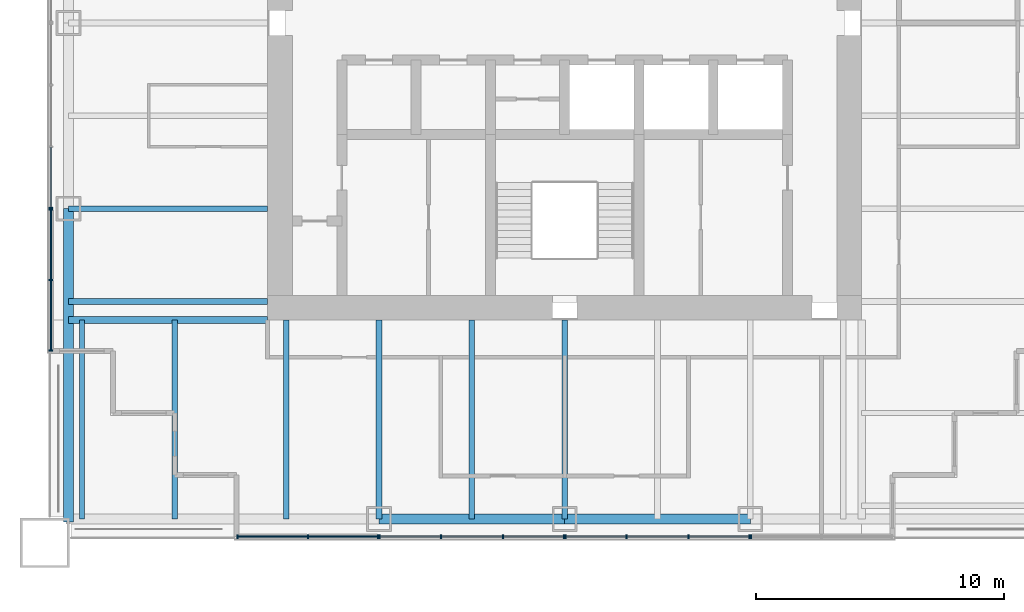
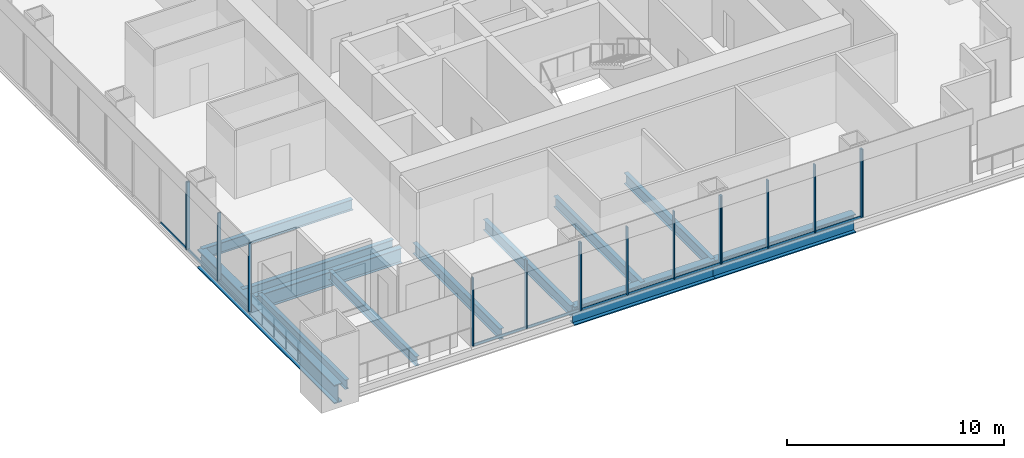
# One storey, part 2 of 14: 27 members, 12 beams, 6 elements without a shape of their own.
"""IFC4 building model written with IfcOpenShell, lengths in metres."""

from ifc_helpers import new_model, si_unit, direction, frame, origin, origin_2d, place, context, subcontext, project, spatial, rectangle, i_section, extrude, material, material_profile, profile_set, type_object, element, aggregate, save


model = new_model("IFC4")

# Units and contexts
model_context = context("Model", 3, precision=1e-05, world=origin(), true_north=direction((0.0, 1.0)))
body_context = subcontext(model_context, "Body", "Model", "MODEL_VIEW")
ifc_project = project(units=[si_unit("LENGTHUNIT", "METRE"), si_unit("AREAUNIT", "SQUARE_METRE"), si_unit("VOLUMEUNIT", "CUBIC_METRE"), si_unit("PLANEANGLEUNIT", "RADIAN"), si_unit("MASSUNIT", "GRAM", prefix="KILO")], contexts=[model_context])

# Site, building, storey
site_placement = place(None, origin())
site = spatial("IfcSite", under=ifc_project, at=site_placement, CompositionType="ELEMENT")
building_placement = place(site_placement, origin())
building = spatial("IfcBuilding", under=site, at=building_placement, Name="Tarangal Relay Tower", CompositionType="ELEMENT")
storey_placement = place(building_placement, frame((0.0, 0.0, 287.89990234375)))
storey = spatial("IfcBuildingStorey", under=building, at=storey_placement, Name="L63", CompositionType="ELEMENT", Elevation=287.89990234375)

# Beams
ifc_material_1 = material(Name="Steel ASTM A992", Category="steel")
ifc_material_profile_1 = material_profile(ifc_material_1, i_section(OverallWidth=0.209228515625, OverallDepth=0.533447265625, WebThickness=0.01025390625, FlangeThickness=0.015625, at=origin_2d()), Name="W21X62")
ifc_profile_set_1 = profile_set([ifc_material_profile_1], Name="Steel ASTM A992")
beam_type_1 = type_object("IfcBeamType", Name="Corner beam W21X62", PredefinedType="JOIST", material=ifc_profile_set_1)
for number, where, z_axis, x_axis, name in (
    (1, (-15.75, -12.0, -0.41650390625), (0.0, -1.0, 0.0), (1.0, 0.0, 0.0), "Corner beam CB12 S L63"),
    (2, (-19.5, -12.0, -0.41650390625), (0.0, -1.0, 0.0), (1.0, 0.0, 0.0), "Corner beam CB12 S L63"),
):
    element("IfcBeam", number, at=place(storey_placement, frame(where, z_axis=z_axis, x_axis=x_axis)), inside=storey, type_object=beam_type_1, Name=name, PredefinedType="JOIST", context=body_context, shape_type="SweptSolid", body=[
        extrude(i_section(OverallWidth=0.209228515625, OverallDepth=0.533447265625, WebThickness=0.01025390625, FlangeThickness=0.015625, at=origin_2d()), origin(), (0.0, 0.0, 1.0), 8.0400390625),
    ])
ifc_material_profile_2 = material_profile(ifc_material_1, i_section(OverallWidth=0.2919921875, OverallDepth=0.8408203125, WebThickness=0.0146484375, FlangeThickness=0.021728515625, at=origin_2d()), Name="W33X130")
ifc_profile_set_2 = profile_set([ifc_material_profile_2], Name="Steel ASTM A992")
beam_type_2 = type_object("IfcBeamType", Name="Corner girder W33X130", PredefinedType="BEAM", material=ifc_profile_set_2)
beam_1_placement = place(storey_placement, frame((-12.0, -12.0, -0.5703125), z_axis=(-1.0, 0.0, 0.0), x_axis=(0.0, -1.0, 0.0)))
element("IfcBeam", 3, at=beam_1_placement, inside=storey, type_object=beam_type_2, Name="Corner girder CG5 S L63", PredefinedType="BEAM", context=body_context, shape_type="SweptSolid", body=[
    extrude(i_section(OverallWidth=0.2919921875, OverallDepth=0.8408203125, WebThickness=0.0146484375, FlangeThickness=0.021728515625, at=origin_2d()), origin(), (0.0, 0.0, 1.0), 8.0400390625),
])
ifc_material_profile_3 = material_profile(ifc_material_1, i_section(OverallWidth=0.41162109375, OverallDepth=1.049072265625, WebThickness=0.033935546875, FlangeThickness=0.059814453125, at=origin_2d()), Name="W40X431")
ifc_profile_set_3 = profile_set([ifc_material_profile_3], Name="Steel ASTM A992")
beam_type_3 = type_object("IfcBeamType", Name="Edge girder W40X431", PredefinedType="SPANDREL", material=ifc_profile_set_3)
for number, where, z_axis, x_axis, name in (
    (4, (7.5, -20.0400390625, -0.67431640625), (-1.0, 0.0, 0.0), (0.0, -1.0, 0.0), "Edge girder EG1 S L63"),
    (5, (0.0, -20.0400390625, -0.67431640625), (-1.0, 0.0, 0.0), (0.0, -1.0, 0.0), "Edge girder EG1 S L63"),
):
    element("IfcBeam", number, at=place(storey_placement, frame(where, z_axis=z_axis, x_axis=x_axis)), inside=storey, type_object=beam_type_3, Name=name, PredefinedType="SPANDREL", context=body_context, shape_type="SweptSolid", body=[
        extrude(i_section(OverallWidth=0.41162109375, OverallDepth=1.049072265625, WebThickness=0.033935546875, FlangeThickness=0.059814453125, at=origin_2d()), origin(), (0.0, 0.0, 1.0), 7.5),
    ])
beam_2_placement = place(storey_placement, frame((-20.0400390625, -20.14990234375, -0.67431640625), z_axis=(0.0, 1.0, 0.0), x_axis=(-1.0, 0.0, 0.0)))
element("IfcBeam", 6, at=beam_2_placement, inside=storey, type_object=beam_type_3, Name="Edge girder EG1 W L63", PredefinedType="SPANDREL", context=body_context, shape_type="SweptSolid", body=[
    extrude(i_section(OverallWidth=0.41162109375, OverallDepth=1.049072265625, WebThickness=0.033935546875, FlangeThickness=0.059814453125, at=origin_2d()), origin(), (0.0, 0.0, 1.0), 12.64990234375),
])
ifc_material_profile_4 = material_profile(ifc_material_1, i_section(OverallWidth=0.228271484375, OverallDepth=0.607177734375, WebThickness=0.01123046875, FlangeThickness=0.017333984375, at=origin_2d()), Name="W24X76")
ifc_profile_set_4 = profile_set([ifc_material_profile_4], Name="Steel ASTM A992")
beam_type_4 = type_object("IfcBeamType", Name="Floor beam W24X76", PredefinedType="BEAM", material=ifc_profile_set_4)
for number, where, z_axis, x_axis, name in (
    (7, (0.0, -12.0, -0.453369140625), (0.0, -1.0, 0.0), (1.0, 0.0, 0.0), "Floor beam RB5 S L63"),
    (8, (-3.75, -12.0, -0.453369140625), (0.0, -1.0, 0.0), (1.0, 0.0, 0.0), "Floor beam RB5 S L63"),
    (9, (-7.5, -12.0, -0.453369140625), (0.0, -1.0, 0.0), (1.0, 0.0, 0.0), "Floor beam RB5 S L63"),
    (10, (-11.25, -12.0, -0.453369140625), (0.0, -1.0, 0.0), (1.0, 0.0, 0.0), "Floor beam RB5 S L63"),
    (11, (-12.0, -11.25, -0.453369140625), (-1.0, 0.0, 0.0), (0.0, -1.0, 0.0), "Floor beam RB5 W L63"),
    (12, (-12.0, -7.5, -0.453369140625), (-1.0, 0.0, 0.0), (0.0, -1.0, 0.0), "Floor beam RB5 W L63"),
):
    element("IfcBeam", number, at=place(storey_placement, frame(where, z_axis=z_axis, x_axis=x_axis)), inside=storey, type_object=beam_type_4, Name=name, PredefinedType="BEAM", context=body_context, shape_type="SweptSolid", body=[
        extrude(i_section(OverallWidth=0.228271484375, OverallDepth=0.607177734375, WebThickness=0.01123046875, FlangeThickness=0.017333984375, at=origin_2d()), origin(), (0.0, 0.0, 1.0), 8.0400390625),
    ])

# Curtain wall, members
ifc_material_2 = material(Name="Unitised curtain wall, dark glass and black aluminium", Category="aluminium")
curtain_wall_type_1 = type_object("IfcCurtainWallType", Name="Curtain wall CW-B", PredefinedType="USERDEFINED", material=ifc_material_2)
curtain_wall_1_placement = place(storey_placement, origin())
curtain_wall_1 = element("IfcCurtainWall", 13, at=curtain_wall_1_placement, inside=storey, type_object=curtain_wall_type_1, Name="Curtain wall CW-B S facade L63", ObjectType="UNITISED CURTAIN WALL", PredefinedType="USERDEFINED")
ifc_material_3 = material(Name="Black anodised aluminium mullion", Category="aluminium")
ifc_material_profile_5 = material_profile(ifc_material_3, rectangle(XDim=0.159912109375, YDim=0.06005859375, at=origin_2d()), Name="CW-BM 60X160")
ifc_profile_set_5 = profile_set([ifc_material_profile_5], Name="Black anodised aluminium mullion")
member_type_1 = type_object("IfcMemberType", Name="Mullion CW-B 60 x 160", PredefinedType="MULLION", material=ifc_profile_set_5)
member_1_placement = place(storey_placement, frame((7.469970703125, -20.75, 0.0), z_axis=(0.0, 0.0, 1.0), x_axis=(0.0, -1.0, 0.0)))
member_1 = element("IfcMember", 14, at=member_1_placement, type_object=member_type_1, Name="CW-B mullion 1", PredefinedType="MULLION", context=body_context, shape_type="SweptSolid", body=[
    extrude(rectangle(XDim=0.159912109375, YDim=0.06005859375, at=origin_2d()), origin(), (0.0, 0.0, 1.0), 3.85009765625),
])
member_2_placement = place(storey_placement, frame((5.0, -20.75, 0.0), z_axis=(0.0, 0.0, 1.0), x_axis=(0.0, -1.0, 0.0)))
member_2 = element("IfcMember", 15, at=member_2_placement, type_object=member_type_1, Name="CW-B mullion 2", PredefinedType="MULLION", context=body_context, shape_type="SweptSolid", body=[
    extrude(rectangle(XDim=0.159912109375, YDim=0.06005859375, at=origin_2d()), origin(), (0.0, 0.0, 1.0), 3.85009765625),
])
member_3_placement = place(storey_placement, frame((2.5, -20.75, 0.0), z_axis=(0.0, 0.0, 1.0), x_axis=(0.0, -1.0, 0.0)))
member_3 = element("IfcMember", 16, at=member_3_placement, type_object=member_type_1, Name="CW-B mullion 3", PredefinedType="MULLION", context=body_context, shape_type="SweptSolid", body=[
    extrude(rectangle(XDim=0.159912109375, YDim=0.06005859375, at=origin_2d()), origin(), (0.0, 0.0, 1.0), 3.85009765625),
])
member_4_placement = place(storey_placement, frame((0.030029296875, -20.75, 0.0), z_axis=(0.0, 0.0, 1.0), x_axis=(0.0, -1.0, 0.0)))
member_4 = element("IfcMember", 17, at=member_4_placement, type_object=member_type_1, Name="CW-B mullion 4", PredefinedType="MULLION", context=body_context, shape_type="SweptSolid", body=[
    extrude(rectangle(XDim=0.159912109375, YDim=0.06005859375, at=origin_2d()), origin(), (0.0, 0.0, 1.0), 3.85009765625),
])

curtain_wall_2_placement = place(storey_placement, origin())
curtain_wall_2 = element("IfcCurtainWall", 18, at=curtain_wall_2_placement, inside=storey, type_object=curtain_wall_type_1, Name="Curtain wall CW-B S facade L63", ObjectType="UNITISED CURTAIN WALL", PredefinedType="USERDEFINED")
member_5_placement = place(storey_placement, frame((-0.030029296875, -20.75, 0.0), z_axis=(0.0, 0.0, 1.0), x_axis=(0.0, -1.0, 0.0)))
member_5 = element("IfcMember", 19, at=member_5_placement, type_object=member_type_1, Name="CW-B mullion 1", PredefinedType="MULLION", context=body_context, shape_type="SweptSolid", body=[
    extrude(rectangle(XDim=0.159912109375, YDim=0.06005859375, at=origin_2d()), origin(), (0.0, 0.0, 1.0), 3.85009765625),
])
member_6_placement = place(storey_placement, frame((-2.5, -20.75, 0.0), z_axis=(0.0, 0.0, 1.0), x_axis=(0.0, -1.0, 0.0)))
member_6 = element("IfcMember", 20, at=member_6_placement, type_object=member_type_1, Name="CW-B mullion 2", PredefinedType="MULLION", context=body_context, shape_type="SweptSolid", body=[
    extrude(rectangle(XDim=0.159912109375, YDim=0.06005859375, at=origin_2d()), origin(), (0.0, 0.0, 1.0), 3.85009765625),
])
member_7_placement = place(storey_placement, frame((-5.0, -20.75, 0.0), z_axis=(0.0, 0.0, 1.0), x_axis=(0.0, -1.0, 0.0)))
member_7 = element("IfcMember", 21, at=member_7_placement, type_object=member_type_1, Name="CW-B mullion 3", PredefinedType="MULLION", context=body_context, shape_type="SweptSolid", body=[
    extrude(rectangle(XDim=0.159912109375, YDim=0.06005859375, at=origin_2d()), origin(), (0.0, 0.0, 1.0), 3.85009765625),
])
member_8_placement = place(storey_placement, frame((-7.469970703125, -20.75, 0.0), z_axis=(0.0, 0.0, 1.0), x_axis=(0.0, -1.0, 0.0)))
member_8 = element("IfcMember", 22, at=member_8_placement, type_object=member_type_1, Name="CW-B mullion 4", PredefinedType="MULLION", context=body_context, shape_type="SweptSolid", body=[
    extrude(rectangle(XDim=0.159912109375, YDim=0.06005859375, at=origin_2d()), origin(), (0.0, 0.0, 1.0), 3.85009765625),
])

# Curtain wall, member
curtain_wall_3_placement = place(storey_placement, origin())
curtain_wall_3 = element("IfcCurtainWall", 23, at=curtain_wall_3_placement, inside=storey, type_object=curtain_wall_type_1, Name="Curtain wall CW-B W facade L63", ObjectType="UNITISED CURTAIN WALL", PredefinedType="USERDEFINED")
member_9_placement = place(storey_placement, frame((-20.75, -7.469970703125, 0.0), z_axis=(0.0, 0.0, 1.0), x_axis=(-1.0, 0.0, 0.0)))
member_9 = element("IfcMember", 24, at=member_9_placement, type_object=member_type_1, Name="CW-B mullion 1", PredefinedType="MULLION", context=body_context, shape_type="SweptSolid", body=[
    extrude(rectangle(XDim=0.159912109375, YDim=0.06005859375, at=origin_2d()), origin(), (0.0, 0.0, 1.0), 3.85009765625),
])

ifc_material_4 = material(Name="Unitised curtain wall frame, black aluminium, with metal clad infill walls", Category="aluminium")
curtain_wall_type_2 = type_object("IfcCurtainWallType", Name="Curtain wall CW-BO", PredefinedType="USERDEFINED", material=ifc_material_4)
curtain_wall_4_placement = place(storey_placement, origin())
curtain_wall_4 = element("IfcCurtainWall", 25, at=curtain_wall_4_placement, inside=storey, type_object=curtain_wall_type_2, Name="Curtain wall CW-BO S facade L63", ObjectType="UNITISED CURTAIN WALL", PredefinedType="USERDEFINED")
ifc_material_profile_6 = material_profile(ifc_material_3, rectangle(XDim=0.159912109375, YDim=0.06005859375, at=origin_2d()), Name="CW-BOM 60X160")
ifc_profile_set_6 = profile_set([ifc_material_profile_6], Name="Black anodised aluminium mullion")
member_type_2 = type_object("IfcMemberType", Name="Mullion CW-BO 60 x 160", PredefinedType="MULLION", material=ifc_profile_set_6)
member_10_placement = place(storey_placement, frame((7.530029296875, -20.75, 0.0), z_axis=(0.0, 0.0, 1.0), x_axis=(0.0, -1.0, 0.0)))
member_10 = element("IfcMember", 26, at=member_10_placement, type_object=member_type_2, Name="CW-BO mullion 3", PredefinedType="MULLION", context=body_context, shape_type="SweptSolid", body=[
    extrude(rectangle(XDim=0.159912109375, YDim=0.06005859375, at=origin_2d()), origin(), (0.0, 0.0, 1.0), 3.85009765625),
])
aggregate(curtain_wall_4, [member_10])

# Curtain wall, members
curtain_wall_5_placement = place(storey_placement, origin())
curtain_wall_5 = element("IfcCurtainWall", 27, at=curtain_wall_5_placement, inside=storey, type_object=curtain_wall_type_2, Name="Curtain wall CW-BO S facade L63", ObjectType="UNITISED CURTAIN WALL", PredefinedType="USERDEFINED")
member_11_placement = place(storey_placement, frame((-7.530029296875, -20.75, 0.0), z_axis=(0.0, 0.0, 1.0), x_axis=(0.0, -1.0, 0.0)))
member_11 = element("IfcMember", 28, at=member_11_placement, type_object=member_type_2, Name="CW-BO mullion 1", PredefinedType="MULLION", context=body_context, shape_type="SweptSolid", body=[
    extrude(rectangle(XDim=0.159912109375, YDim=0.06005859375, at=origin_2d()), origin(), (0.0, 0.0, 1.0), 3.85009765625),
])
member_12_placement = place(storey_placement, frame((-10.375, -20.75, 0.0), z_axis=(0.0, 0.0, 1.0), x_axis=(0.0, -1.0, 0.0)))
member_12 = element("IfcMember", 29, at=member_12_placement, type_object=member_type_2, Name="CW-BO mullion 2", PredefinedType="MULLION", context=body_context, shape_type="SweptSolid", body=[
    extrude(rectangle(XDim=0.159912109375, YDim=0.06005859375, at=origin_2d()), origin(), (0.0, 0.0, 1.0), 3.85009765625),
])
member_13_placement = place(storey_placement, frame((-13.219970703125, -20.75, 0.0), z_axis=(0.0, 0.0, 1.0), x_axis=(0.0, -1.0, 0.0)))
member_13 = element("IfcMember", 30, at=member_13_placement, type_object=member_type_2, Name="CW-BO mullion 3", PredefinedType="MULLION", context=body_context, shape_type="SweptSolid", body=[
    extrude(rectangle(XDim=0.159912109375, YDim=0.06005859375, at=origin_2d()), origin(), (0.0, 0.0, 1.0), 3.85009765625),
])

curtain_wall_6_placement = place(storey_placement, origin())
curtain_wall_6 = element("IfcCurtainWall", 31, at=curtain_wall_6_placement, inside=storey, type_object=curtain_wall_type_2, Name="Curtain wall CW-BO W facade L63", ObjectType="UNITISED CURTAIN WALL", PredefinedType="USERDEFINED")
member_14_placement = place(storey_placement, frame((-20.75, -13.219970703125, 0.0), z_axis=(0.0, 0.0, 1.0), x_axis=(-1.0, 0.0, 0.0)))
member_14 = element("IfcMember", 32, at=member_14_placement, type_object=member_type_2, Name="CW-BO mullion 1", PredefinedType="MULLION", context=body_context, shape_type="SweptSolid", body=[
    extrude(rectangle(XDim=0.159912109375, YDim=0.06005859375, at=origin_2d()), origin(), (0.0, 0.0, 1.0), 3.85009765625),
])
member_15_placement = place(storey_placement, frame((-20.75, -10.375, 0.0), z_axis=(0.0, 0.0, 1.0), x_axis=(-1.0, 0.0, 0.0)))
member_15 = element("IfcMember", 33, at=member_15_placement, type_object=member_type_2, Name="CW-BO mullion 2", PredefinedType="MULLION", context=body_context, shape_type="SweptSolid", body=[
    extrude(rectangle(XDim=0.159912109375, YDim=0.06005859375, at=origin_2d()), origin(), (0.0, 0.0, 1.0), 3.85009765625),
])
member_16_placement = place(storey_placement, frame((-20.75, -7.530029296875, 0.0), z_axis=(0.0, 0.0, 1.0), x_axis=(-1.0, 0.0, 0.0)))
member_16 = element("IfcMember", 34, at=member_16_placement, type_object=member_type_2, Name="CW-BO mullion 3", PredefinedType="MULLION", context=body_context, shape_type="SweptSolid", body=[
    extrude(rectangle(XDim=0.159912109375, YDim=0.06005859375, at=origin_2d()), origin(), (0.0, 0.0, 1.0), 3.85009765625),
])

# Member
ifc_material_5 = material(Name="Black anodised aluminium transom", Category="aluminium")
ifc_material_profile_7 = material_profile(ifc_material_5, rectangle(XDim=0.06005859375, YDim=0.1298828125, at=origin_2d()), Name="CW-BT 60X130")
ifc_profile_set_7 = profile_set([ifc_material_profile_7], Name="Black anodised aluminium transom")
member_type_3 = type_object("IfcMemberType", Name="Transom CW-B 60 x 130", PredefinedType="USERDEFINED", material=ifc_profile_set_7)
member_17_placement = place(storey_placement, frame((7.43994140625, -20.75, 0.030029296875), z_axis=(-1.0, 0.0, 0.0), x_axis=(0.0, -1.0, 0.0)))
member_17 = element("IfcMember", 35, at=member_17_placement, type_object=member_type_3, Name="CW-B transom 1.1", ObjectType="TRANSOM", PredefinedType="USERDEFINED", context=body_context, shape_type="SweptSolid", body=[
    extrude(rectangle(XDim=0.06005859375, YDim=0.1298828125, at=origin_2d()), origin(), (0.0, 0.0, 1.0), 2.409912109375),
])

member_18_placement = place(storey_placement, frame((4.969970703125, -20.75, 0.030029296875), z_axis=(-1.0, 0.0, 0.0), x_axis=(0.0, -1.0, 0.0)))
member_18 = element("IfcMember", 36, at=member_18_placement, type_object=member_type_3, Name="CW-B transom 2.1", ObjectType="TRANSOM", PredefinedType="USERDEFINED", context=body_context, shape_type="SweptSolid", body=[
    extrude(rectangle(XDim=0.06005859375, YDim=0.1298828125, at=origin_2d()), origin(), (0.0, 0.0, 1.0), 2.43994140625),
])

member_19_placement = place(storey_placement, frame((2.469970703125, -20.75, 0.030029296875), z_axis=(-1.0, 0.0, 0.0), x_axis=(0.0, -1.0, 0.0)))
member_19 = element("IfcMember", 37, at=member_19_placement, type_object=member_type_3, Name="CW-B transom 3.1", ObjectType="TRANSOM", PredefinedType="USERDEFINED", context=body_context, shape_type="SweptSolid", body=[
    extrude(rectangle(XDim=0.06005859375, YDim=0.1298828125, at=origin_2d()), origin(), (0.0, 0.0, 1.0), 2.409912109375),
])

aggregate(curtain_wall_1, [member_1, member_2, member_3, member_4, member_17, member_18, member_19])

member_20_placement = place(storey_placement, frame((-0.06005859375, -20.75, 0.030029296875), z_axis=(-1.0, 0.0, 0.0), x_axis=(0.0, -1.0, 0.0)))
member_20 = element("IfcMember", 38, at=member_20_placement, type_object=member_type_3, Name="CW-B transom 1.1", ObjectType="TRANSOM", PredefinedType="USERDEFINED", context=body_context, shape_type="SweptSolid", body=[
    extrude(rectangle(XDim=0.06005859375, YDim=0.1298828125, at=origin_2d()), origin(), (0.0, 0.0, 1.0), 2.409912109375),
])

member_21_placement = place(storey_placement, frame((-2.530029296875, -20.75, 0.030029296875), z_axis=(-1.0, 0.0, 0.0), x_axis=(0.0, -1.0, 0.0)))
member_21 = element("IfcMember", 39, at=member_21_placement, type_object=member_type_3, Name="CW-B transom 2.1", ObjectType="TRANSOM", PredefinedType="USERDEFINED", context=body_context, shape_type="SweptSolid", body=[
    extrude(rectangle(XDim=0.06005859375, YDim=0.1298828125, at=origin_2d()), origin(), (0.0, 0.0, 1.0), 2.43994140625),
])

member_22_placement = place(storey_placement, frame((-5.030029296875, -20.75, 0.030029296875), z_axis=(-1.0, 0.0, 0.0), x_axis=(0.0, -1.0, 0.0)))
member_22 = element("IfcMember", 40, at=member_22_placement, type_object=member_type_3, Name="CW-B transom 3.1", ObjectType="TRANSOM", PredefinedType="USERDEFINED", context=body_context, shape_type="SweptSolid", body=[
    extrude(rectangle(XDim=0.06005859375, YDim=0.1298828125, at=origin_2d()), origin(), (0.0, 0.0, 1.0), 2.409912109375),
])

aggregate(curtain_wall_2, [member_5, member_6, member_7, member_8, member_20, member_21, member_22])

member_23_placement = place(storey_placement, frame((-20.75, -7.43994140625, 0.030029296875), z_axis=(0.0, 1.0, 0.0), x_axis=(-1.0, 0.0, 0.0)))
member_23 = element("IfcMember", 41, at=member_23_placement, type_object=member_type_3, Name="CW-B transom 1.1", ObjectType="TRANSOM", PredefinedType="USERDEFINED", context=body_context, shape_type="SweptSolid", body=[
    extrude(rectangle(XDim=0.06005859375, YDim=0.1298828125, at=origin_2d()), origin(), (0.0, 0.0, 1.0), 2.409912109375),
])

aggregate(curtain_wall_3, [member_9, member_23])

ifc_material_profile_8 = material_profile(ifc_material_5, rectangle(XDim=0.06005859375, YDim=0.1298828125, at=origin_2d()), Name="CW-BOT 60X130")
ifc_profile_set_8 = profile_set([ifc_material_profile_8], Name="Black anodised aluminium transom")
member_type_4 = type_object("IfcMemberType", Name="Transom CW-BO 60 x 130", PredefinedType="USERDEFINED", material=ifc_profile_set_8)
member_24_placement = place(storey_placement, frame((-7.56005859375, -20.75, 0.030029296875), z_axis=(-1.0, 0.0, 0.0), x_axis=(0.0, -1.0, 0.0)))
member_24 = element("IfcMember", 42, at=member_24_placement, type_object=member_type_4, Name="CW-BO transom 1.1", ObjectType="TRANSOM", PredefinedType="USERDEFINED", context=body_context, shape_type="SweptSolid", body=[
    extrude(rectangle(XDim=0.06005859375, YDim=0.1298828125, at=origin_2d()), origin(), (0.0, 0.0, 1.0), 2.784912109375),
])

member_25_placement = place(storey_placement, frame((-10.405029296875, -20.75, 0.030029296875), z_axis=(-1.0, 0.0, 0.0), x_axis=(0.0, -1.0, 0.0)))
member_25 = element("IfcMember", 43, at=member_25_placement, type_object=member_type_4, Name="CW-BO transom 2.1", ObjectType="TRANSOM", PredefinedType="USERDEFINED", context=body_context, shape_type="SweptSolid", body=[
    extrude(rectangle(XDim=0.06005859375, YDim=0.1298828125, at=origin_2d()), origin(), (0.0, 0.0, 1.0), 2.784912109375),
])

aggregate(curtain_wall_5, [member_11, member_12, member_13, member_24, member_25])

member_26_placement = place(storey_placement, frame((-20.75, -13.18994140625, 0.030029296875), z_axis=(0.0, 1.0, 0.0), x_axis=(-1.0, 0.0, 0.0)))
member_26 = element("IfcMember", 44, at=member_26_placement, type_object=member_type_4, Name="CW-BO transom 1.1", ObjectType="TRANSOM", PredefinedType="USERDEFINED", context=body_context, shape_type="SweptSolid", body=[
    extrude(rectangle(XDim=0.06005859375, YDim=0.1298828125, at=origin_2d()), origin(), (0.0, 0.0, 1.0), 2.784912109375),
])

member_27_placement = place(storey_placement, frame((-20.75, -10.344970703125, 0.030029296875), z_axis=(0.0, 1.0, 0.0), x_axis=(-1.0, 0.0, 0.0)))
member_27 = element("IfcMember", 45, at=member_27_placement, type_object=member_type_4, Name="CW-BO transom 2.1", ObjectType="TRANSOM", PredefinedType="USERDEFINED", context=body_context, shape_type="SweptSolid", body=[
    extrude(rectangle(XDim=0.06005859375, YDim=0.1298828125, at=origin_2d()), origin(), (0.0, 0.0, 1.0), 2.784912109375),
])

aggregate(curtain_wall_6, [member_14, member_15, member_16, member_26, member_27])

save(model, "model.ifc")
